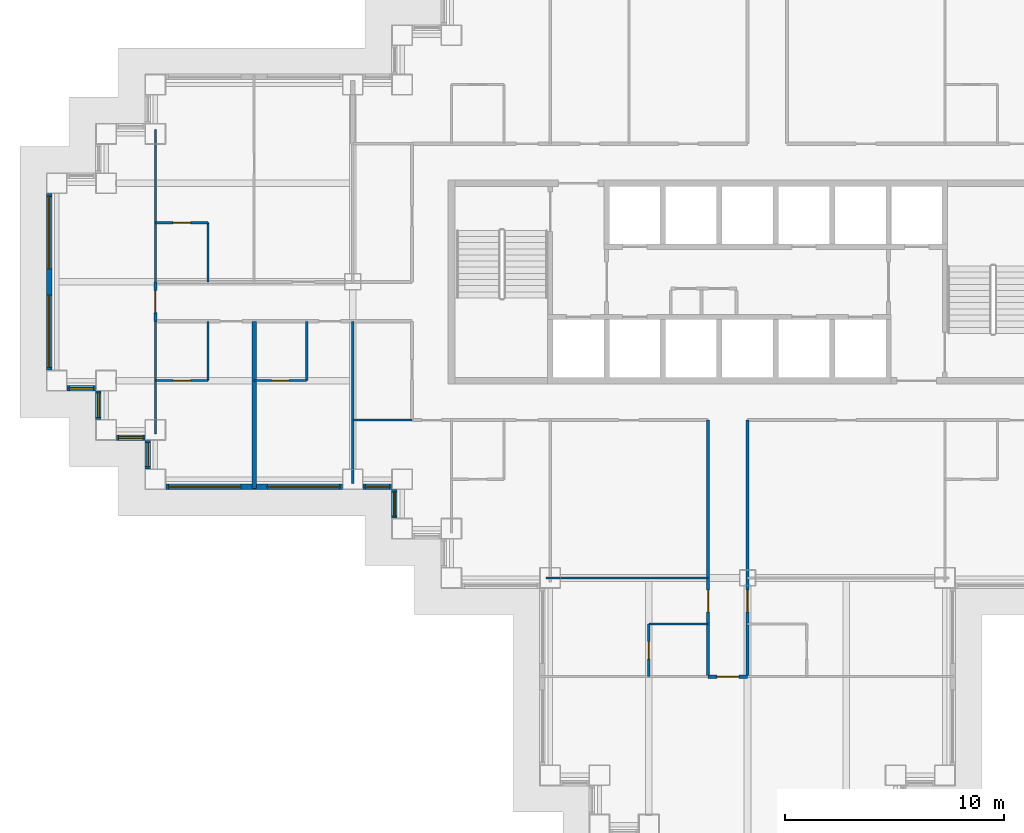
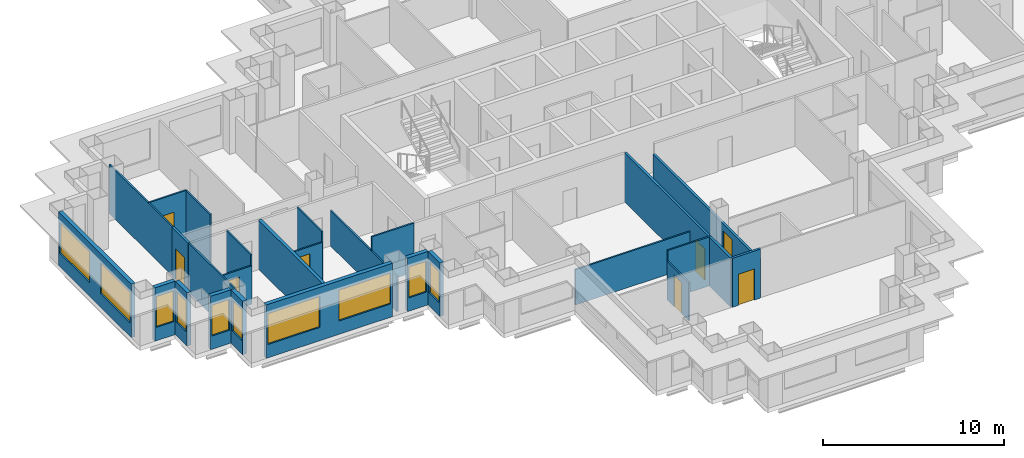
# One storey, part 3 of 15: 26 walls, 10 windows, 8 doors, 18 openings.
"""IFC4 building model written with IfcOpenShell, lengths in metres."""

from ifc_helpers import new_model, si_unit, direction, frame, frame_2d, origin, place, context, subcontext, project, spatial, rectangle, extrude, material, layer, layer_set, type_object, element, fill, save


model = new_model("IFC4")

# Units and contexts
model_context = context("Model", 3, precision=1e-05, world=origin(), true_north=direction((0.0, 1.0)))
body_context = subcontext(model_context, "Body", "Model", "MODEL_VIEW")
ifc_project = project(units=[si_unit("LENGTHUNIT", "METRE"), si_unit("AREAUNIT", "SQUARE_METRE"), si_unit("VOLUMEUNIT", "CUBIC_METRE"), si_unit("PLANEANGLEUNIT", "RADIAN"), si_unit("MASSUNIT", "GRAM", prefix="KILO")], contexts=[model_context])

# Site, building, storey
site_placement = place(None, origin())
site = spatial("IfcSite", under=ifc_project, at=site_placement, CompositionType="ELEMENT")
building_placement = place(site_placement, origin())
building = spatial("IfcBuilding", under=site, at=building_placement, Name="Caravel Reach Hotel and Residences", CompositionType="ELEMENT")
storey_placement = place(building_placement, frame((0.0, 0.0, 78.0)))
storey = spatial("IfcBuildingStorey", under=building, at=storey_placement, Name="L18", CompositionType="ELEMENT", Elevation=78.0)

# Wall
ifc_material_1 = material(Name="Gypsum board on steel stud", Category="steel")
ifc_layer_1 = layer(ifc_material_1, 0.10009765625)
ifc_layer_set_1 = layer_set([ifc_layer_1], Name="Bathroom pod wall 100 mm")
wall_type_1 = type_object("IfcWallType", Name="Bathroom pod wall 100 mm", PredefinedType="PARTITIONING", material=ifc_layer_set_1)
wall_1_placement = place(storey_placement, frame((27.0, 11.39990234375, 0.0), z_axis=(0.0, 0.0, 1.0), x_axis=(1.0, 0.0, 0.0)))
element("IfcWall", 1, at=wall_1_placement, inside=storey, type_object=wall_type_1, Name="L18 wall w083", PredefinedType="PARTITIONING", context=body_context, shape_type="SweptSolid", body=[
    extrude(rectangle(XDim=2.699951171875, YDim=0.10009765625, at=frame_2d((1.35009765625, 0.0))), origin(), (0.0, 0.0, 1.0), 3.300048828125),
])

# Wall, opening, door
wall_2_placement = place(storey_placement, frame((9.0, 22.5, 0.0), z_axis=(0.0, 0.0, 1.0), x_axis=(1.0, 0.0, 0.0)))
wall_2 = element("IfcWall", 2, at=wall_2_placement, inside=storey, type_object=wall_type_1, Name="L18 wall w086", PredefinedType="PARTITIONING", context=body_context, shape_type="SweptSolid", body=[
    extrude(rectangle(XDim=2.39990234375, YDim=0.10009765625, at=frame_2d((1.199951171875, 0.0))), origin(), (0.0, 0.0, 1.0), 2.580078125),
])
opening_1_placement = place(wall_2_placement, frame((0.800048828125, 0.0, 0.0)))
opening_1 = element("IfcOpeningElement", 3, at=opening_1_placement, cuts=wall_2, Name="Opening D18-017", PredefinedType="OPENING", context=body_context, shape_type="SweptSolid", body=[
    extrude(rectangle(XDim=0.800048828125, YDim=2.10009765625, at=frame_2d((0.39990234375, 1.050048828125))), frame((0.0, 0.06005859375, 0.0), z_axis=(0.0, -1.0, 0.0), x_axis=(1.0, 0.0, 0.0)), (0.0, 0.0, 1.0), 0.1201171875),
])
ifc_material_2 = material(Name="Timber and steel door leaf", Category="steel")
door_type_1 = type_object("IfcDoorType", Name="Bathroom door 800 x 2100", OperationType="SINGLE_SWING_LEFT", PredefinedType="DOOR", material=ifc_material_2)
door_1_placement = place(opening_1_placement, origin())
door_1 = element("IfcDoor", 4, at=door_1_placement, inside=storey, type_object=door_type_1, Name="door D18-017", OperationType="SINGLE_SWING_LEFT", OverallHeight=2.10009765625, OverallWidth=0.800048828125, PredefinedType="DOOR", context=body_context, shape_type="SweptSolid", body=[
    extrude(rectangle(XDim=0.800048828125, YDim=2.10009765625, at=frame_2d((0.39990234375, 1.050048828125))), frame((0.0, 0.02490234375, 0.0), z_axis=(0.0, -1.0, 0.0), x_axis=(1.0, 0.0, 0.0)), (0.0, 0.0, 1.0), 0.050048828125),
])
fill(opening_1, door_1)

wall_3_placement = place(storey_placement, frame((4.5, 22.5, 0.0), z_axis=(0.0, 0.0, 1.0), x_axis=(1.0, 0.0, 0.0)))
wall_3 = element("IfcWall", 5, at=wall_3_placement, inside=storey, type_object=wall_type_1, Name="L18 wall w087", PredefinedType="PARTITIONING", context=body_context, shape_type="SweptSolid", body=[
    extrude(rectangle(XDim=2.39990234375, YDim=0.10009765625, at=frame_2d((1.199951171875, 0.0))), origin(), (0.0, 0.0, 1.0), 2.580078125),
])
opening_2_placement = place(wall_3_placement, frame((0.800048828125, 0.0, 0.0)))
opening_2 = element("IfcOpeningElement", 6, at=opening_2_placement, cuts=wall_3, Name="Opening D18-019", PredefinedType="OPENING", context=body_context, shape_type="SweptSolid", body=[
    extrude(rectangle(XDim=0.800048828125, YDim=2.10009765625, at=frame_2d((0.39990234375, 1.050048828125))), frame((0.0, 0.06005859375, 0.0), z_axis=(0.0, -1.0, 0.0), x_axis=(1.0, 0.0, 0.0)), (0.0, 0.0, 1.0), 0.1201171875),
])
door_2_placement = place(opening_2_placement, origin())
door_2 = element("IfcDoor", 7, at=door_2_placement, inside=storey, type_object=door_type_1, Name="door D18-019", OperationType="SINGLE_SWING_RIGHT", OverallHeight=2.10009765625, OverallWidth=0.800048828125, PredefinedType="DOOR", context=body_context, shape_type="SweptSolid", body=[
    extrude(rectangle(XDim=0.800048828125, YDim=2.10009765625, at=frame_2d((0.39990234375, 1.050048828125))), frame((0.0, 0.02490234375, 0.0), z_axis=(0.0, -1.0, 0.0), x_axis=(1.0, 0.0, 0.0)), (0.0, 0.0, 1.0), 0.050048828125),
])
fill(opening_2, door_2)

wall_4_placement = place(storey_placement, frame((4.5, 29.699951171875, 0.0), z_axis=(0.0, 0.0, 1.0), x_axis=(1.0, 0.0, 0.0)))
wall_4 = element("IfcWall", 8, at=wall_4_placement, inside=storey, type_object=wall_type_1, Name="L18 wall w092", PredefinedType="PARTITIONING", context=body_context, shape_type="SweptSolid", body=[
    extrude(rectangle(XDim=2.39990234375, YDim=0.10009765625, at=frame_2d((1.199951171875, 0.0))), origin(), (0.0, 0.0, 1.0), 3.300048828125),
])
opening_3_placement = place(wall_4_placement, frame((0.800048828125, 0.0, 0.0)))
opening_3 = element("IfcOpeningElement", 9, at=opening_3_placement, cuts=wall_4, Name="Opening D18-022", PredefinedType="OPENING", context=body_context, shape_type="SweptSolid", body=[
    extrude(rectangle(XDim=0.800048828125, YDim=2.10009765625, at=frame_2d((0.39990234375, 1.050048828125))), frame((0.0, 0.06005859375, 0.0), z_axis=(0.0, -1.0, 0.0), x_axis=(1.0, 0.0, 0.0)), (0.0, 0.0, 1.0), 0.1201171875),
])
door_3_placement = place(opening_3_placement, origin())
door_3 = element("IfcDoor", 10, at=door_3_placement, inside=storey, type_object=door_type_1, Name="door D18-022", OperationType="SINGLE_SWING_LEFT", OverallHeight=2.10009765625, OverallWidth=0.800048828125, PredefinedType="DOOR", context=body_context, shape_type="SweptSolid", body=[
    extrude(rectangle(XDim=0.800048828125, YDim=2.10009765625, at=frame_2d((0.39990234375, 1.050048828125))), frame((0.0, 0.02490234375, 0.0), z_axis=(0.0, -1.0, 0.0), x_axis=(1.0, 0.0, 0.0)), (0.0, 0.0, 1.0), 0.050048828125),
])
fill(opening_3, door_3)

# Wall
wall_5_placement = place(storey_placement, frame((11.39990234375, 22.5, 0.0), z_axis=(0.0, 0.0, 1.0), x_axis=(0.0, 1.0, 0.0)))
element("IfcWall", 11, at=wall_5_placement, inside=storey, type_object=wall_type_1, Name="L18 wall w100", PredefinedType="PARTITIONING", context=body_context, shape_type="SweptSolid", body=[
    extrude(rectangle(XDim=2.699951171875, YDim=0.10009765625, at=frame_2d((1.35009765625, 0.0))), origin(), (0.0, 0.0, 1.0), 3.300048828125),
])

# Wall, opening, door
wall_6_placement = place(storey_placement, frame((27.0, 9.0, 0.0), z_axis=(0.0, 0.0, 1.0), x_axis=(0.0, 1.0, 0.0)))
wall_6 = element("IfcWall", 12, at=wall_6_placement, inside=storey, type_object=wall_type_1, Name="L18 wall w104", PredefinedType="PARTITIONING", context=body_context, shape_type="SweptSolid", body=[
    extrude(rectangle(XDim=2.39990234375, YDim=0.10009765625, at=frame_2d((1.199951171875, 0.0))), origin(), (0.0, 0.0, 1.0), 2.580078125),
])
opening_4_placement = place(wall_6_placement, frame((0.800048828125, 0.0, 0.0)))
opening_4 = element("IfcOpeningElement", 13, at=opening_4_placement, cuts=wall_6, Name="Opening D18-039", PredefinedType="OPENING", context=body_context, shape_type="SweptSolid", body=[
    extrude(rectangle(XDim=0.800048828125, YDim=2.10009765625, at=frame_2d((0.39990234375, 1.050048828125))), frame((0.0, 0.06005859375, 0.0), z_axis=(0.0, -1.0, 0.0), x_axis=(1.0, 0.0, 0.0)), (0.0, 0.0, 1.0), 0.1201171875),
])
door_4_placement = place(opening_4_placement, origin())
door_4 = element("IfcDoor", 14, at=door_4_placement, inside=storey, type_object=door_type_1, Name="door D18-039", OperationType="SINGLE_SWING_LEFT", OverallHeight=2.10009765625, OverallWidth=0.800048828125, PredefinedType="DOOR", context=body_context, shape_type="SweptSolid", body=[
    extrude(rectangle(XDim=0.800048828125, YDim=2.10009765625, at=frame_2d((0.39990234375, 1.050048828125))), frame((0.0, 0.02490234375, 0.0), z_axis=(0.0, -1.0, 0.0), x_axis=(1.0, 0.0, 0.0)), (0.0, 0.0, 1.0), 0.050048828125),
])
fill(opening_4, door_4)

# Walls
for number, where, z_axis, x_axis, name in (
    (15, (6.89990234375, 22.5, 0.0), (0.0, 0.0, 1.0), (0.0, 1.0, 0.0), "L18 wall w115"),
    (16, (6.89990234375, 27.0, 0.0), (0.0, 0.0, 1.0), (0.0, 1.0, 0.0), "L18 wall w116"),
):
    element("IfcWall", number, at=place(storey_placement, frame(where, z_axis=z_axis, x_axis=x_axis)), inside=storey, type_object=wall_type_1, Name=name, PredefinedType="PARTITIONING", context=body_context, shape_type="SweptSolid", body=[
        extrude(rectangle(XDim=2.699951171875, YDim=0.10009765625, at=frame_2d((1.35009765625, 0.0))), origin(), (0.0, 0.0, 1.0), 3.300048828125),
    ])

# Wall, opening, door
ifc_material_3 = material(Name="Gypsum board on steel stud, fire-rated", Category="steel")
ifc_layer_2 = layer(ifc_material_3, 0.14990234375)
ifc_layer_set_2 = layer_set([ifc_layer_2], Name="Corridor wall 150 mm EI 60")
wall_type_2 = type_object("IfcWallType", Name="Corridor wall 150 mm EI 60", PredefinedType="PARTITIONING", material=ifc_layer_set_2)
wall_7_placement = place(storey_placement, frame((29.699951171875, 9.0, 0.0), z_axis=(0.0, 0.0, 1.0), x_axis=(1.0, 0.0, 0.0)))
wall_7 = element("IfcWall", 17, at=wall_7_placement, inside=storey, type_object=wall_type_2, Name="L18 wall w026", PredefinedType="PARTITIONING", context=body_context, shape_type="SweptSolid", body=[
    extrude(rectangle(XDim=1.800048828125, YDim=0.14990234375, at=frame_2d((0.89990234375, 0.0))), origin(), (0.0, 0.0, 1.0), 3.300048828125),
])
opening_5_placement = place(wall_7_placement, frame((0.39990234375, 0.0, 0.0)))
opening_5 = element("IfcOpeningElement", 18, at=opening_5_placement, cuts=wall_7, Name="Opening D18-046", PredefinedType="OPENING", context=body_context, shape_type="SweptSolid", body=[
    extrude(rectangle(XDim=1.0, YDim=2.10009765625, at=frame_2d((0.5, 1.050048828125))), frame((0.0, 0.0849609375, 0.0), z_axis=(0.0, -1.0, 0.0), x_axis=(1.0, 0.0, 0.0)), (0.0, 0.0, 1.0), 0.169921875),
])
ifc_material_4 = material(Name="Steel fire door leaf", Category="steel")
door_type_2 = type_object("IfcDoorType", Name="Guest room door 1000 x 2100 EI 30", OperationType="SINGLE_SWING_LEFT", PredefinedType="DOOR", material=ifc_material_4)
door_5_placement = place(opening_5_placement, origin())
door_5 = element("IfcDoor", 19, at=door_5_placement, inside=storey, type_object=door_type_2, Name="door D18-046", OperationType="SINGLE_SWING_RIGHT", OverallHeight=2.10009765625, OverallWidth=1.0, PredefinedType="DOOR", context=body_context, shape_type="SweptSolid", body=[
    extrude(rectangle(XDim=1.0, YDim=2.10009765625, at=frame_2d((0.5, 1.050048828125))), frame((0.0, 0.02490234375, 0.0), z_axis=(0.0, -1.0, 0.0), x_axis=(1.0, 0.0, 0.0)), (0.0, 0.0, 1.0), 0.050048828125),
])
fill(opening_5, door_5)

wall_8_placement = place(storey_placement, frame((29.699951171875, 9.0, 0.0), z_axis=(0.0, 0.0, 1.0), x_axis=(0.0, 1.0, 0.0)))
wall_8 = element("IfcWall", 20, at=wall_8_placement, inside=storey, type_object=wall_type_2, Name="L18 wall w029", PredefinedType="PARTITIONING", context=body_context, shape_type="SweptSolid", body=[
    extrude(rectangle(XDim=11.699951171875, YDim=0.14990234375, at=frame_2d((5.85009765625, 0.0))), origin(), (0.0, 0.0, 1.0), 3.300048828125),
])
opening_6_placement = place(wall_8_placement, frame((2.949951171875, 0.0, 0.0)))
opening_6 = element("IfcOpeningElement", 21, at=opening_6_placement, cuts=wall_8, Name="Opening D18-038", PredefinedType="OPENING", context=body_context, shape_type="SweptSolid", body=[
    extrude(rectangle(XDim=1.0, YDim=2.10009765625, at=frame_2d((0.5, 1.050048828125))), frame((0.0, 0.0849609375, 0.0), z_axis=(0.0, -1.0, 0.0), x_axis=(1.0, 0.0, 0.0)), (0.0, 0.0, 1.0), 0.169921875),
])
door_6_placement = place(opening_6_placement, origin())
door_6 = element("IfcDoor", 22, at=door_6_placement, inside=storey, type_object=door_type_2, Name="door D18-038", OperationType="SINGLE_SWING_RIGHT", OverallHeight=2.10009765625, OverallWidth=1.0, PredefinedType="DOOR", context=body_context, shape_type="SweptSolid", body=[
    extrude(rectangle(XDim=1.0, YDim=2.10009765625, at=frame_2d((0.5, 1.050048828125))), frame((0.0, 0.02490234375, 0.0), z_axis=(0.0, -1.0, 0.0), x_axis=(1.0, 0.0, 0.0)), (0.0, 0.0, 1.0), 0.050048828125),
])
fill(opening_6, door_6)

wall_9_placement = place(storey_placement, frame((31.5, 9.0, 0.0), z_axis=(0.0, 0.0, 1.0), x_axis=(0.0, 1.0, 0.0)))
wall_9 = element("IfcWall", 23, at=wall_9_placement, inside=storey, type_object=wall_type_2, Name="L18 wall w033", PredefinedType="PARTITIONING", context=body_context, shape_type="SweptSolid", body=[
    extrude(rectangle(XDim=11.699951171875, YDim=0.14990234375, at=frame_2d((5.85009765625, 0.0))), origin(), (0.0, 0.0, 1.0), 2.580078125),
])
opening_7_placement = place(wall_9_placement, frame((2.949951171875, 0.0, 0.0)))
opening_7 = element("IfcOpeningElement", 24, at=opening_7_placement, cuts=wall_9, Name="Opening D18-040", PredefinedType="OPENING", context=body_context, shape_type="SweptSolid", body=[
    extrude(rectangle(XDim=1.0, YDim=2.10009765625, at=frame_2d((0.5, 1.050048828125))), frame((0.0, 0.0849609375, 0.0), z_axis=(0.0, -1.0, 0.0), x_axis=(1.0, 0.0, 0.0)), (0.0, 0.0, 1.0), 0.169921875),
])
door_7_placement = place(opening_7_placement, origin())
door_7 = element("IfcDoor", 25, at=door_7_placement, inside=storey, type_object=door_type_2, Name="door D18-040", OperationType="SINGLE_SWING_RIGHT", OverallHeight=2.10009765625, OverallWidth=1.0, PredefinedType="DOOR", context=body_context, shape_type="SweptSolid", body=[
    extrude(rectangle(XDim=1.0, YDim=2.10009765625, at=frame_2d((0.5, 1.050048828125))), frame((0.0, 0.02490234375, 0.0), z_axis=(0.0, -1.0, 0.0), x_axis=(1.0, 0.0, 0.0)), (0.0, 0.0, 1.0), 0.050048828125),
])
fill(opening_7, door_7)

wall_10_placement = place(storey_placement, frame((4.5, 25.199951171875, 0.0), z_axis=(0.0, 0.0, 1.0), x_axis=(0.0, 1.0, 0.0)))
wall_10 = element("IfcWall", 26, at=wall_10_placement, inside=storey, type_object=wall_type_2, Name="L18 wall w039", PredefinedType="PARTITIONING", context=body_context, shape_type="SweptSolid", body=[
    extrude(rectangle(XDim=1.800048828125, YDim=0.14990234375, at=frame_2d((0.89990234375, 0.0))), origin(), (0.0, 0.0, 1.0), 3.300048828125),
])
opening_8_placement = place(wall_10_placement, frame((0.39990234375, 0.0, 0.0)))
opening_8 = element("IfcOpeningElement", 27, at=opening_8_placement, cuts=wall_10, Name="Opening D18-042", PredefinedType="OPENING", context=body_context, shape_type="SweptSolid", body=[
    extrude(rectangle(XDim=1.0, YDim=2.10009765625, at=frame_2d((0.5, 1.050048828125))), frame((0.0, 0.0849609375, 0.0), z_axis=(0.0, -1.0, 0.0), x_axis=(1.0, 0.0, 0.0)), (0.0, 0.0, 1.0), 0.169921875),
])
door_8_placement = place(opening_8_placement, origin())
door_8 = element("IfcDoor", 28, at=door_8_placement, inside=storey, type_object=door_type_2, Name="door D18-042", OperationType="SINGLE_SWING_LEFT", OverallHeight=2.10009765625, OverallWidth=1.0, PredefinedType="DOOR", context=body_context, shape_type="SweptSolid", body=[
    extrude(rectangle(XDim=1.0, YDim=2.10009765625, at=frame_2d((0.5, 1.050048828125))), frame((0.0, 0.02490234375, 0.0), z_axis=(0.0, -1.0, 0.0), x_axis=(1.0, 0.0, 0.0)), (0.0, 0.0, 1.0), 0.050048828125),
])
fill(opening_8, door_8)

# Wall, openings, windows
ifc_material_5 = material(Name="Insulated rainscreen wall, aluminium cladding", Category="aluminium")
ifc_layer_3 = layer(ifc_material_5, 0.25)
ifc_layer_set_3 = layer_set([ifc_layer_3], Name="EW1 Tower rainscreen wall")
wall_type_3 = type_object("IfcWallType", Name="EW1 Tower rainscreen wall", PredefinedType="SOLIDWALL", material=ifc_layer_set_3)
wall_11_placement = place(storey_placement, frame((-0.35009765625, 31.02490234375, 0.0), z_axis=(0.0, 0.0, 1.0), x_axis=(0.0, -1.0, 0.0)))
wall_11 = element("IfcWall", 29, at=wall_11_placement, inside=storey, type_object=wall_type_3, Name="External wall L18 W50.1", PredefinedType="SOLIDWALL", context=body_context, shape_type="SweptSolid", body=[
    extrude(rectangle(XDim=8.0498046875, YDim=0.25, at=frame_2d((4.02490234375, 0.0))), origin(), (0.0, 0.0, 1.0), 3.60009765625),
])
opening_9_placement = place(wall_11_placement, frame((0.125, 0.0, 0.89990234375)))
opening_9 = element("IfcOpeningElement", 30, at=opening_9_placement, cuts=wall_11, Name="Opening WN4", PredefinedType="OPENING", context=body_context, shape_type="SweptSolid", body=[
    extrude(rectangle(XDim=3.300048828125, YDim=2.080078125, at=frame_2d((1.64990234375, 1.0400390625))), frame((0.0, 0.135009765625, 0.0), z_axis=(0.0, -1.0, 0.0), x_axis=(1.0, 0.0, 0.0)), (0.0, 0.0, 1.0), 0.27001953125),
])
opening_10_placement = place(wall_11_placement, frame((4.625, 0.0, 0.89990234375)))
opening_10 = element("IfcOpeningElement", 31, at=opening_10_placement, cuts=wall_11, Name="Opening WN4", PredefinedType="OPENING", context=body_context, shape_type="SweptSolid", body=[
    extrude(rectangle(XDim=3.300048828125, YDim=2.080078125, at=frame_2d((1.64990234375, 1.0400390625))), frame((0.0, 0.135009765625, 0.0), z_axis=(0.0, -1.0, 0.0), x_axis=(1.0, 0.0, 0.0)), (0.0, 0.0, 1.0), 0.27001953125),
])
ifc_material_6 = material(Name="Dark low-e glazing in black aluminium frame", Category="aluminium")
window_type_1 = type_object("IfcWindowType", Name="Hotel guest room window 3300 x 2080", PartitioningType="SINGLE_PANEL", PredefinedType="WINDOW", material=ifc_material_6)
window_1_placement = place(opening_9_placement, origin())
window_1 = element("IfcWindow", 32, at=window_1_placement, inside=storey, type_object=window_type_1, Name="Window L18 W50.1.1", OverallHeight=2.080078125, OverallWidth=3.300048828125, PartitioningType="SINGLE_PANEL", PredefinedType="WINDOW", context=body_context, shape_type="SweptSolid", body=[
    extrude(rectangle(XDim=3.300048828125, YDim=2.080078125, at=frame_2d((1.64990234375, 1.0400390625))), frame((0.0, 0.030029296875, 0.0), z_axis=(0.0, -1.0, 0.0), x_axis=(1.0, 0.0, 0.0)), (0.0, 0.0, 1.0), 0.06005859375),
])
fill(opening_9, window_1)
window_2_placement = place(opening_10_placement, origin())
window_2 = element("IfcWindow", 33, at=window_2_placement, inside=storey, type_object=window_type_1, Name="Window L18 W50.1.2", OverallHeight=2.080078125, OverallWidth=3.300048828125, PartitioningType="SINGLE_PANEL", PredefinedType="WINDOW", context=body_context, shape_type="SweptSolid", body=[
    extrude(rectangle(XDim=3.300048828125, YDim=2.080078125, at=frame_2d((1.64990234375, 1.0400390625))), frame((0.0, 0.030029296875, 0.0), z_axis=(0.0, -1.0, 0.0), x_axis=(1.0, 0.0, 0.0)), (0.0, 0.0, 1.0), 0.06005859375),
])
fill(opening_10, window_2)

# Wall, opening, window
wall_12_placement = place(storey_placement, frame((0.47509765625, 22.14990234375, 0.0), z_axis=(0.0, 0.0, 1.0), x_axis=(1.0, 0.0, 0.0)))
wall_12 = element("IfcWall", 34, at=wall_12_placement, inside=storey, type_object=wall_type_3, Name="External wall L18 S51.1", PredefinedType="SOLIDWALL", context=body_context, shape_type="SweptSolid", body=[
    extrude(rectangle(XDim=1.2998046875, YDim=0.25, at=frame_2d((0.64990234375, 0.0))), origin(), (0.0, 0.0, 1.0), 3.60009765625),
])
opening_11_placement = place(wall_12_placement, frame((0.10009765625, 0.0, 0.89990234375)))
opening_11 = element("IfcOpeningElement", 35, at=opening_11_placement, cuts=wall_12, Name="Opening WN5", PredefinedType="OPENING", context=body_context, shape_type="SweptSolid", body=[
    extrude(rectangle(XDim=1.10009765625, YDim=2.080078125, at=frame_2d((0.550048828125, 1.0400390625))), frame((0.0, 0.135009765625, 0.0), z_axis=(0.0, -1.0, 0.0), x_axis=(1.0, 0.0, 0.0)), (0.0, 0.0, 1.0), 0.27001953125),
])
ifc_material_7 = material(Name="Dark low-e glazing in black aluminium frame", Category="aluminium")
window_type_2 = type_object("IfcWindowType", Name="Hotel suite corner window 1100 x 2080", PartitioningType="SINGLE_PANEL", PredefinedType="WINDOW", material=ifc_material_7)
window_3_placement = place(opening_11_placement, origin())
window_3 = element("IfcWindow", 36, at=window_3_placement, inside=storey, type_object=window_type_2, Name="Window L18 S51.1.1", OverallHeight=2.080078125, OverallWidth=1.10009765625, PartitioningType="SINGLE_PANEL", PredefinedType="WINDOW", context=body_context, shape_type="SweptSolid", body=[
    extrude(rectangle(XDim=1.10009765625, YDim=2.080078125, at=frame_2d((0.550048828125, 1.0400390625))), frame((0.0, 0.030029296875, 0.0), z_axis=(0.0, -1.0, 0.0), x_axis=(1.0, 0.0, 0.0)), (0.0, 0.0, 1.0), 0.06005859375),
])
fill(opening_11, window_3)

wall_13_placement = place(storey_placement, frame((1.89990234375, 22.02490234375, 0.0), z_axis=(0.0, 0.0, 1.0), x_axis=(0.0, -1.0, 0.0)))
wall_13 = element("IfcWall", 37, at=wall_13_placement, inside=storey, type_object=wall_type_3, Name="External wall L18 W52.1", PredefinedType="SOLIDWALL", context=body_context, shape_type="SweptSolid", body=[
    extrude(rectangle(XDim=1.2998046875, YDim=0.25, at=frame_2d((0.64990234375, 0.0))), origin(), (0.0, 0.0, 1.0), 3.60009765625),
])
opening_12_placement = place(wall_13_placement, frame((0.10009765625, 0.0, 0.89990234375)))
opening_12 = element("IfcOpeningElement", 38, at=opening_12_placement, cuts=wall_13, Name="Opening WN5", PredefinedType="OPENING", context=body_context, shape_type="SweptSolid", body=[
    extrude(rectangle(XDim=1.10009765625, YDim=2.080078125, at=frame_2d((0.550048828125, 1.0400390625))), frame((0.0, 0.135009765625, 0.0), z_axis=(0.0, -1.0, 0.0), x_axis=(1.0, 0.0, 0.0)), (0.0, 0.0, 1.0), 0.27001953125),
])
window_4_placement = place(opening_12_placement, origin())
window_4 = element("IfcWindow", 39, at=window_4_placement, inside=storey, type_object=window_type_2, Name="Window L18 W52.1.1", OverallHeight=2.080078125, OverallWidth=1.10009765625, PartitioningType="SINGLE_PANEL", PredefinedType="WINDOW", context=body_context, shape_type="SweptSolid", body=[
    extrude(rectangle(XDim=1.10009765625, YDim=2.080078125, at=frame_2d((0.550048828125, 1.0400390625))), frame((0.0, 0.030029296875, 0.0), z_axis=(0.0, -1.0, 0.0), x_axis=(1.0, 0.0, 0.0)), (0.0, 0.0, 1.0), 0.06005859375),
])
fill(opening_12, window_4)

wall_14_placement = place(storey_placement, frame((2.72509765625, 19.89990234375, 0.0), z_axis=(0.0, 0.0, 1.0), x_axis=(1.0, 0.0, 0.0)))
wall_14 = element("IfcWall", 40, at=wall_14_placement, inside=storey, type_object=wall_type_3, Name="External wall L18 S53.1", PredefinedType="SOLIDWALL", context=body_context, shape_type="SweptSolid", body=[
    extrude(rectangle(XDim=1.2998046875, YDim=0.25, at=frame_2d((0.64990234375, 0.0))), origin(), (0.0, 0.0, 1.0), 3.60009765625),
])
opening_13_placement = place(wall_14_placement, frame((0.10009765625, 0.0, 0.89990234375)))
opening_13 = element("IfcOpeningElement", 41, at=opening_13_placement, cuts=wall_14, Name="Opening WN5", PredefinedType="OPENING", context=body_context, shape_type="SweptSolid", body=[
    extrude(rectangle(XDim=1.10009765625, YDim=2.080078125, at=frame_2d((0.550048828125, 1.0400390625))), frame((0.0, 0.135009765625, 0.0), z_axis=(0.0, -1.0, 0.0), x_axis=(1.0, 0.0, 0.0)), (0.0, 0.0, 1.0), 0.27001953125),
])
window_5_placement = place(opening_13_placement, origin())
window_5 = element("IfcWindow", 42, at=window_5_placement, inside=storey, type_object=window_type_2, Name="Window L18 S53.1.1", OverallHeight=2.080078125, OverallWidth=1.10009765625, PartitioningType="SINGLE_PANEL", PredefinedType="WINDOW", context=body_context, shape_type="SweptSolid", body=[
    extrude(rectangle(XDim=1.10009765625, YDim=2.080078125, at=frame_2d((0.550048828125, 1.0400390625))), frame((0.0, 0.030029296875, 0.0), z_axis=(0.0, -1.0, 0.0), x_axis=(1.0, 0.0, 0.0)), (0.0, 0.0, 1.0), 0.06005859375),
])
fill(opening_13, window_5)

wall_15_placement = place(storey_placement, frame((4.14990234375, 19.77490234375, 0.0), z_axis=(0.0, 0.0, 1.0), x_axis=(0.0, -1.0, 0.0)))
wall_15 = element("IfcWall", 43, at=wall_15_placement, inside=storey, type_object=wall_type_3, Name="External wall L18 W54.1", PredefinedType="SOLIDWALL", context=body_context, shape_type="SweptSolid", body=[
    extrude(rectangle(XDim=1.2998046875, YDim=0.25, at=frame_2d((0.64990234375, 0.0))), origin(), (0.0, 0.0, 1.0), 3.60009765625),
])
opening_14_placement = place(wall_15_placement, frame((0.10009765625, 0.0, 0.89990234375)))
opening_14 = element("IfcOpeningElement", 44, at=opening_14_placement, cuts=wall_15, Name="Opening WN5", PredefinedType="OPENING", context=body_context, shape_type="SweptSolid", body=[
    extrude(rectangle(XDim=1.10009765625, YDim=2.080078125, at=frame_2d((0.550048828125, 1.0400390625))), frame((0.0, 0.135009765625, 0.0), z_axis=(0.0, -1.0, 0.0), x_axis=(1.0, 0.0, 0.0)), (0.0, 0.0, 1.0), 0.27001953125),
])
window_6_placement = place(opening_14_placement, origin())
window_6 = element("IfcWindow", 45, at=window_6_placement, inside=storey, type_object=window_type_2, Name="Window L18 W54.1.1", OverallHeight=2.080078125, OverallWidth=1.10009765625, PartitioningType="SINGLE_PANEL", PredefinedType="WINDOW", context=body_context, shape_type="SweptSolid", body=[
    extrude(rectangle(XDim=1.10009765625, YDim=2.080078125, at=frame_2d((0.550048828125, 1.0400390625))), frame((0.0, 0.030029296875, 0.0), z_axis=(0.0, -1.0, 0.0), x_axis=(1.0, 0.0, 0.0)), (0.0, 0.0, 1.0), 0.06005859375),
])
fill(opening_14, window_6)

# Wall, openings, windows
wall_16_placement = place(storey_placement, frame((4.97509765625, 17.64990234375, 0.0), z_axis=(0.0, 0.0, 1.0), x_axis=(1.0, 0.0, 0.0)))
wall_16 = element("IfcWall", 46, at=wall_16_placement, inside=storey, type_object=wall_type_3, Name="External wall L18 S55.1", PredefinedType="SOLIDWALL", context=body_context, shape_type="SweptSolid", body=[
    extrude(rectangle(XDim=8.0498046875, YDim=0.25, at=frame_2d((4.02490234375, 0.0))), origin(), (0.0, 0.0, 1.0), 3.60009765625),
])
opening_15_placement = place(wall_16_placement, frame((0.125, 0.0, 0.89990234375)))
opening_15 = element("IfcOpeningElement", 47, at=opening_15_placement, cuts=wall_16, Name="Opening WN4", PredefinedType="OPENING", context=body_context, shape_type="SweptSolid", body=[
    extrude(rectangle(XDim=3.300048828125, YDim=2.080078125, at=frame_2d((1.64990234375, 1.0400390625))), frame((0.0, 0.135009765625, 0.0), z_axis=(0.0, -1.0, 0.0), x_axis=(1.0, 0.0, 0.0)), (0.0, 0.0, 1.0), 0.27001953125),
])
opening_16_placement = place(wall_16_placement, frame((4.625, 0.0, 0.89990234375)))
opening_16 = element("IfcOpeningElement", 48, at=opening_16_placement, cuts=wall_16, Name="Opening WN4", PredefinedType="OPENING", context=body_context, shape_type="SweptSolid", body=[
    extrude(rectangle(XDim=3.300048828125, YDim=2.080078125, at=frame_2d((1.64990234375, 1.0400390625))), frame((0.0, 0.135009765625, 0.0), z_axis=(0.0, -1.0, 0.0), x_axis=(1.0, 0.0, 0.0)), (0.0, 0.0, 1.0), 0.27001953125),
])
window_7_placement = place(opening_15_placement, origin())
window_7 = element("IfcWindow", 49, at=window_7_placement, inside=storey, type_object=window_type_1, Name="Window L18 S55.1.1", OverallHeight=2.080078125, OverallWidth=3.300048828125, PartitioningType="SINGLE_PANEL", PredefinedType="WINDOW", context=body_context, shape_type="SweptSolid", body=[
    extrude(rectangle(XDim=3.300048828125, YDim=2.080078125, at=frame_2d((1.64990234375, 1.0400390625))), frame((0.0, 0.030029296875, 0.0), z_axis=(0.0, -1.0, 0.0), x_axis=(1.0, 0.0, 0.0)), (0.0, 0.0, 1.0), 0.06005859375),
])
fill(opening_15, window_7)
window_8_placement = place(opening_16_placement, origin())
window_8 = element("IfcWindow", 50, at=window_8_placement, inside=storey, type_object=window_type_1, Name="Window L18 S55.1.2", OverallHeight=2.080078125, OverallWidth=3.300048828125, PartitioningType="SINGLE_PANEL", PredefinedType="WINDOW", context=body_context, shape_type="SweptSolid", body=[
    extrude(rectangle(XDim=3.300048828125, YDim=2.080078125, at=frame_2d((1.64990234375, 1.0400390625))), frame((0.0, 0.030029296875, 0.0), z_axis=(0.0, -1.0, 0.0), x_axis=(1.0, 0.0, 0.0)), (0.0, 0.0, 1.0), 0.06005859375),
])
fill(opening_16, window_8)

# Wall, opening, window
wall_17_placement = place(storey_placement, frame((13.97509765625, 17.64990234375, 0.0), z_axis=(0.0, 0.0, 1.0), x_axis=(1.0, 0.0, 0.0)))
wall_17 = element("IfcWall", 51, at=wall_17_placement, inside=storey, type_object=wall_type_3, Name="External wall L18 S55.2", PredefinedType="SOLIDWALL", context=body_context, shape_type="SweptSolid", body=[
    extrude(rectangle(XDim=1.2998046875, YDim=0.25, at=frame_2d((0.64990234375, 0.0))), origin(), (0.0, 0.0, 1.0), 3.60009765625),
])
opening_17_placement = place(wall_17_placement, frame((0.10009765625, 0.0, 0.89990234375)))
opening_17 = element("IfcOpeningElement", 52, at=opening_17_placement, cuts=wall_17, Name="Opening WN5", PredefinedType="OPENING", context=body_context, shape_type="SweptSolid", body=[
    extrude(rectangle(XDim=1.10009765625, YDim=2.080078125, at=frame_2d((0.550048828125, 1.0400390625))), frame((0.0, 0.135009765625, 0.0), z_axis=(0.0, -1.0, 0.0), x_axis=(1.0, 0.0, 0.0)), (0.0, 0.0, 1.0), 0.27001953125),
])
window_9_placement = place(opening_17_placement, origin())
window_9 = element("IfcWindow", 53, at=window_9_placement, inside=storey, type_object=window_type_2, Name="Window L18 S55.2.1", OverallHeight=2.080078125, OverallWidth=1.10009765625, PartitioningType="SINGLE_PANEL", PredefinedType="WINDOW", context=body_context, shape_type="SweptSolid", body=[
    extrude(rectangle(XDim=1.10009765625, YDim=2.080078125, at=frame_2d((0.550048828125, 1.0400390625))), frame((0.0, 0.030029296875, 0.0), z_axis=(0.0, -1.0, 0.0), x_axis=(1.0, 0.0, 0.0)), (0.0, 0.0, 1.0), 0.06005859375),
])
fill(opening_17, window_9)

wall_18_placement = place(storey_placement, frame((15.39990234375, 17.52490234375, 0.0), z_axis=(0.0, 0.0, 1.0), x_axis=(0.0, -1.0, 0.0)))
wall_18 = element("IfcWall", 54, at=wall_18_placement, inside=storey, type_object=wall_type_3, Name="External wall L18 W56.1", PredefinedType="SOLIDWALL", context=body_context, shape_type="SweptSolid", body=[
    extrude(rectangle(XDim=1.2998046875, YDim=0.25, at=frame_2d((0.64990234375, 0.0))), origin(), (0.0, 0.0, 1.0), 3.60009765625),
])
opening_18_placement = place(wall_18_placement, frame((0.10009765625, 0.0, 0.89990234375)))
opening_18 = element("IfcOpeningElement", 55, at=opening_18_placement, cuts=wall_18, Name="Opening WN5", PredefinedType="OPENING", context=body_context, shape_type="SweptSolid", body=[
    extrude(rectangle(XDim=1.10009765625, YDim=2.080078125, at=frame_2d((0.550048828125, 1.0400390625))), frame((0.0, 0.135009765625, 0.0), z_axis=(0.0, -1.0, 0.0), x_axis=(1.0, 0.0, 0.0)), (0.0, 0.0, 1.0), 0.27001953125),
])
window_10_placement = place(opening_18_placement, origin())
window_10 = element("IfcWindow", 56, at=window_10_placement, inside=storey, type_object=window_type_2, Name="Window L18 W56.1.1", OverallHeight=2.080078125, OverallWidth=1.10009765625, PartitioningType="SINGLE_PANEL", PredefinedType="WINDOW", context=body_context, shape_type="SweptSolid", body=[
    extrude(rectangle(XDim=1.10009765625, YDim=2.080078125, at=frame_2d((0.550048828125, 1.0400390625))), frame((0.0, 0.030029296875, 0.0), z_axis=(0.0, -1.0, 0.0), x_axis=(1.0, 0.0, 0.0)), (0.0, 0.0, 1.0), 0.06005859375),
])
fill(opening_18, window_10)

# Walls
ifc_material_8 = material(Name="Gypsum board on steel stud", Category="steel")
ifc_layer_4 = layer(ifc_material_8, 0.10009765625)
ifc_layer_set_4 = layer_set([ifc_layer_4], Name="Partition 100 mm")
wall_type_4 = type_object("IfcWallType", Name="Partition 100 mm", PredefinedType="PARTITIONING", material=ifc_layer_set_4)
wall_19_placement = place(storey_placement, frame((22.31005859375, 13.5, 0.0), z_axis=(0.0, 0.0, 1.0), x_axis=(1.0, 0.0, 0.0)))
element("IfcWall", 57, at=wall_19_placement, inside=storey, type_object=wall_type_4, Name="L18 wall w044", PredefinedType="PARTITIONING", context=body_context, shape_type="SweptSolid", body=[
    extrude(rectangle(XDim=7.389892578125, YDim=0.10009765625, at=frame_2d((3.69482421875, 0.0))), origin(), (0.0, 0.0, 1.0), 2.3798828125),
])
wall_20_placement = place(storey_placement, frame((13.5, 20.699951171875, 0.0), z_axis=(0.0, 0.0, 1.0), x_axis=(1.0, 0.0, 0.0)))
element("IfcWall", 58, at=wall_20_placement, inside=storey, type_object=wall_type_4, Name="L18 wall w045", PredefinedType="PARTITIONING", context=body_context, shape_type="SweptSolid", body=[
    extrude(rectangle(XDim=2.699951171875, YDim=0.10009765625, at=frame_2d((1.35009765625, 0.0))), origin(), (0.0, 0.0, 1.0), 3.300048828125),
])
wall_21_placement = place(storey_placement, frame((13.5, 17.81005859375, 0.0), z_axis=(0.0, 0.0, 1.0), x_axis=(0.0, 1.0, 0.0)))
element("IfcWall", 59, at=wall_21_placement, inside=storey, type_object=wall_type_4, Name="L18 wall w058", PredefinedType="PARTITIONING", context=body_context, shape_type="SweptSolid", body=[
    extrude(rectangle(XDim=7.389892578125, YDim=0.10009765625, at=frame_2d((3.69482421875, 0.0))), origin(), (0.0, 0.0, 1.0), 2.3798828125),
])
wall_22_placement = place(storey_placement, frame((4.5, 20.06005859375, 0.0), z_axis=(0.0, 0.0, 1.0), x_axis=(0.0, 1.0, 0.0)))
element("IfcWall", 60, at=wall_22_placement, inside=storey, type_object=wall_type_4, Name="L18 wall w064", PredefinedType="PARTITIONING", context=body_context, shape_type="SweptSolid", body=[
    extrude(rectangle(XDim=5.139892578125, YDim=0.10009765625, at=frame_2d((2.56982421875, 0.0))), origin(), (0.0, 0.0, 1.0), 3.300048828125),
])
wall_23_placement = place(storey_placement, frame((4.5, 27.0, 0.0), z_axis=(0.0, 0.0, 1.0), x_axis=(0.0, 1.0, 0.0)))
element("IfcWall", 61, at=wall_23_placement, inside=storey, type_object=wall_type_4, Name="L18 wall w065", PredefinedType="PARTITIONING", context=body_context, shape_type="SweptSolid", body=[
    extrude(rectangle(XDim=6.93994140625, YDim=0.10009765625, at=frame_2d((3.469970703125, 0.0))), origin(), (0.0, 0.0, 1.0), 3.300048828125),
])
ifc_material_9 = material(Name="Autoclaved aerated block wall")
ifc_layer_5 = layer(ifc_material_9, 0.199951171875)
ifc_layer_set_5 = layer_set([ifc_layer_5], Name="Party wall 200 mm EI 60")
wall_type_5 = type_object("IfcWallType", Name="Party wall 200 mm EI 60", PredefinedType="PARTITIONING", material=ifc_layer_set_5)
wall_24_placement = place(storey_placement, frame((9.0, 17.5849609375, 0.0), z_axis=(0.0, 0.0, 1.0), x_axis=(0.0, 1.0, 0.0)))
element("IfcWall", 62, at=wall_24_placement, inside=storey, type_object=wall_type_5, Name="L18 wall w081", PredefinedType="PARTITIONING", context=body_context, shape_type="SweptSolid", body=[
    extrude(rectangle(XDim=7.614990234375, YDim=0.199951171875, at=frame_2d((3.8076171875, 0.0))), origin(), (0.0, 0.0, 1.0), 3.300048828125),
])

save(model, "model.ifc")
